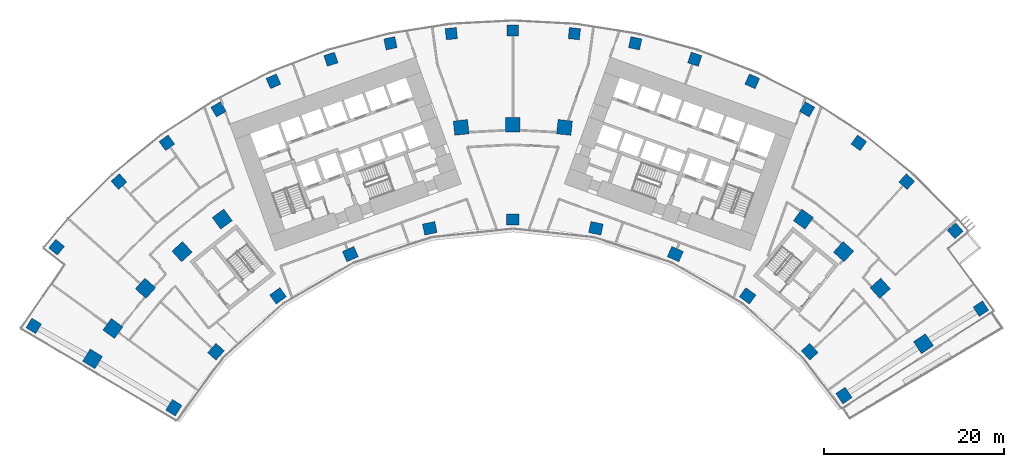
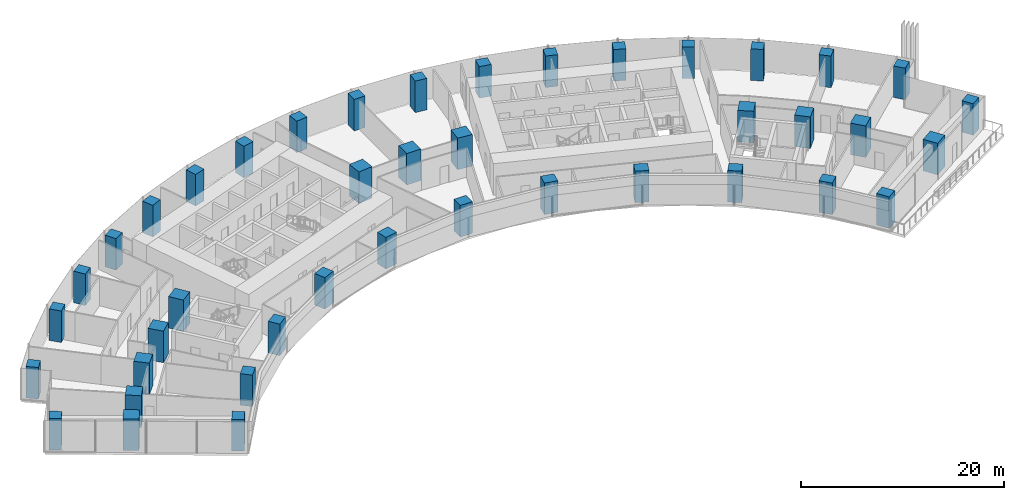
# One storey, part 1 of 21: 42 columns.
"""IFC4 building model written with IfcOpenShell, lengths in metres."""

from ifc_helpers import new_model, si_unit, direction, frame, origin, origin_2d, place, context, subcontext, project, spatial, rectangle, extrude, material, material_profile, profile_set, type_object, element, save


model = new_model("IFC4")

# Units and contexts
model_context = context("Model", 3, precision=1e-05, world=origin(), true_north=direction((0.0, 1.0)))
body_context = subcontext(model_context, "Body", "Model", "MODEL_VIEW")
ifc_project = project(units=[si_unit("LENGTHUNIT", "METRE"), si_unit("AREAUNIT", "SQUARE_METRE"), si_unit("VOLUMEUNIT", "CUBIC_METRE"), si_unit("PLANEANGLEUNIT", "RADIAN"), si_unit("MASSUNIT", "GRAM", prefix="KILO")], contexts=[model_context])

# Site, building, storey
site_placement = place(None, origin())
site = spatial("IfcSite", under=ifc_project, at=site_placement, CompositionType="ELEMENT")
building_placement = place(site_placement, origin())
building = spatial("IfcBuilding", under=site, at=building_placement, Name="Stone Belt Terrace Tower", CompositionType="ELEMENT")
storey_placement = place(building_placement, frame((0.0, 0.0, 45.199951171875)))
storey = spatial("IfcBuildingStorey", under=building, at=storey_placement, Name="L10", CompositionType="ELEMENT", Elevation=45.199951171875)

# Columns
ifc_material = material(Name="Concrete B80", Category="concrete")
ifc_material_profile_1 = material_profile(ifc_material, rectangle(XDim=1.25, YDim=1.25, at=origin_2d()), Name="RC 1250x1250")
ifc_profile_set_1 = profile_set([ifc_material_profile_1], Name="Concrete B80")
column_type_1 = type_object("IfcColumnType", Name="Column RC 1250x1250 B80", PredefinedType="COLUMN", material=ifc_profile_set_1)
for number, where, z_axis, x_axis, name in (
    (1, (-53.30078125, 32.6171875, 0.0), (0.0, 0.0, 1.0), (0.521967198123, 0.852965558556, 0.0), "Column L10 RA"),
    (2, (52.079833984375, 34.533203125, 0.0), (0.0, 0.0, 1.0), (0.552632476899, -0.833425068903, 0.0), "Column L10 RB"),
    (3, (-50.7646484375, 41.373046875, 0.0), (0.0, 0.0, 1.0), (0.631758757508, 0.775165061333, 0.0), "Column L10 RNA"),
    (4, (-43.820556640625, 48.667724609375, 0.0), (0.0, 0.0, 1.0), (0.743144825477, 0.669130606359, 0.0), "Column L10 R15"),
    (5, (-38.493408203125, 52.981689453125, 0.0), (0.0, 0.0, 1.0), (0.809016994375, 0.587785252292, 0.0), "Column L10 R16"),
    (6, (-32.744384765625, 56.715087890625, 0.0), (0.0, 0.0, 1.0), (0.866025403784, 0.5, 0.0), "Column L10 R17"),
    (7, (-26.63671875, 59.8271484375, 0.0), (0.0, 0.0, 1.0), (0.913545457643, 0.406736643076, 0.0), "Column L10 R18"),
    (8, (-20.2373046875, 62.28369140625, 0.0), (0.0, 0.0, 1.0), (0.951056516295, 0.309016994375, 0.0), "Column L10 R19"),
    (9, (-13.615966796875, 64.057861328125, 0.0), (0.0, 0.0, 1.0), (0.978147600734, 0.207911690818, 0.0), "Column L10 R20"),
    (10, (-6.845458984375, 65.130126953125, 0.0), (0.0, 0.0, 1.0), (0.994521895368, 0.104528463268, 0.0), "Column L10 R21"),
    (11, (0.0, 65.489013671875, 0.0), (0.0, 0.0, 1.0), (1.0, 0.0, 0.0), "Column L10 R22"),
    (12, (6.845458984375, 65.130126953125, 0.0), (0.0, 0.0, 1.0), (0.994521895368, -0.104528463268, 0.0), "Column L10 R23"),
    (13, (13.615966796875, 64.057861328125, 0.0), (0.0, 0.0, 1.0), (0.978147600734, -0.207911690818, 0.0), "Column L10 R24"),
    (14, (20.2373046875, 62.28369140625, 0.0), (0.0, 0.0, 1.0), (0.951056516295, -0.309016994375, 0.0), "Column L10 R25"),
    (15, (26.63671875, 59.8271484375, 0.0), (0.0, 0.0, 1.0), (0.913545457643, -0.406736643076, 0.0), "Column L10 R26"),
    (16, (32.744384765625, 56.715087890625, 0.0), (0.0, 0.0, 1.0), (0.866025403784, -0.5, 0.0), "Column L10 R27"),
    (17, (38.493408203125, 52.981689453125, 0.0), (0.0, 0.0, 1.0), (0.809016994375, -0.587785252292, 0.0), "Column L10 R28"),
    (18, (43.820556640625, 48.667724609375, 0.0), (0.0, 0.0, 1.0), (0.743144825477, -0.669130606359, 0.0), "Column L10 R29"),
    (19, (49.22705078125, 43.19140625, 0.0), (0.0, 0.0, 1.0), (0.659521632939, -0.751685582997, 0.0), "Column L10 RNB"),
):
    element("IfcColumn", number, at=place(storey_placement, frame(where, z_axis=z_axis, x_axis=x_axis)), inside=storey, type_object=column_type_1, Name=name, PredefinedType="COLUMN", context=body_context, shape_type="SweptSolid", body=[
        extrude(rectangle(XDim=1.25, YDim=1.25, at=origin_2d()), origin(), (0.0, 0.0, 1.0), 3.800048828125),
    ])
ifc_material_profile_2 = material_profile(ifc_material, rectangle(XDim=1.39990234375, YDim=1.25, at=origin_2d()), Name="RC 1400x1250")
ifc_profile_set_2 = profile_set([ifc_material_profile_2], Name="Concrete B80")
column_type_2 = type_object("IfcColumnType", Name="Column RC 1400x1250 B80", PredefinedType="COLUMN", material=ifc_profile_set_2)
for number, where, z_axis, x_axis, name in (
    (20, (-37.718017578125, 23.510009765625, 0.0), (0.0, 0.0, 1.0), (0.528967211548, 0.84864226215, 0.0), "Column L10 PA"),
    (21, (-33.029052734375, 29.739501953125, 0.0), (0.0, 0.0, 1.0), (0.669130606359, 0.743144825477, 0.0), "Column L10 P14"),
    (22, (-26.1240234375, 35.956787109375, 0.0), (0.0, 0.0, 1.0), (0.809016994375, 0.587785252292, 0.0), "Column L10 P16"),
    (23, (-18.077392578125, 40.6025390625, 0.0), (0.0, 0.0, 1.0), (0.913545457643, 0.406736643076, 0.0), "Column L10 P18"),
    (24, (-9.240478515625, 43.473876953125, 0.0), (0.0, 0.0, 1.0), (0.978147600734, 0.207911690818, 0.0), "Column L10 P20"),
    (25, (0.0, 44.445068359375, 0.0), (0.0, 0.0, 1.0), (1.0, 0.0, 0.0), "Column L10 P22"),
    (26, (9.240478515625, 43.473876953125, 0.0), (0.0, 0.0, 1.0), (0.978147600734, -0.207911690818, 0.0), "Column L10 P24"),
    (27, (18.077392578125, 40.6025390625, 0.0), (0.0, 0.0, 1.0), (0.913545457643, -0.406736643076, 0.0), "Column L10 P26"),
    (28, (26.1240234375, 35.956787109375, 0.0), (0.0, 0.0, 1.0), (0.809016994375, -0.587785252292, 0.0), "Column L10 P28"),
    (29, (33.029052734375, 29.739501953125, 0.0), (0.0, 0.0, 1.0), (0.669130606359, -0.743144825477, 0.0), "Column L10 P30"),
    (30, (36.83837890625, 24.865478515625, 0.0), (0.0, 0.0, 1.0), (0.559469238608, -0.828851115129, 0.0), "Column L10 PB"),
):
    element("IfcColumn", number, at=place(storey_placement, frame(where, z_axis=z_axis, x_axis=x_axis)), inside=storey, type_object=column_type_2, Name=name, PredefinedType="COLUMN", context=body_context, shape_type="SweptSolid", body=[
        extrude(rectangle(XDim=1.39990234375, YDim=1.25, at=origin_2d()), origin(), (0.0, 0.0, 1.0), 3.800048828125),
    ])
ifc_material_profile_3 = material_profile(ifc_material, rectangle(XDim=1.60009765625, YDim=1.60009765625, at=origin_2d()), Name="RC 1600x1600")
ifc_profile_set_3 = profile_set([ifc_material_profile_3], Name="Concrete B80")
column_type_3 = type_object("IfcColumnType", Name="Column RC 1600x1600 B80", PredefinedType="COLUMN", material=ifc_profile_set_3)
for number, where, z_axis, x_axis, name in (
    (31, (-46.763671875, 28.951171875, 0.0), (0.0, 0.0, 1.0), (0.526383105721, 0.850247508677, 0.0), "Column L10 QA"),
    (32, (-44.495849609375, 32.328125, 0.0), (0.0, 0.0, 1.0), (0.587785252292, 0.809016994375, 0.0), "Column L10 Q13"),
    (33, (-40.873046875, 36.80224609375, 0.0), (0.0, 0.0, 1.0), (0.669130606359, 0.743144825477, 0.0), "Column L10 Q14"),
    (34, (-36.80224609375, 40.873046875, 0.0), (0.0, 0.0, 1.0), (0.743144825477, 0.669130606359, 0.0), "Column L10 Q15"),
    (35, (-32.328125, 44.495849609375, 0.0), (0.0, 0.0, 1.0), (0.809016994375, 0.587785252292, 0.0), "Column L10 Q16"),
    (36, (-5.7490234375, 54.69873046875, 0.0), (0.0, 0.0, 1.0), (0.994521895368, 0.104528463268, 0.0), "Column L10 Q21"),
    (37, (0.0, 55.0, 0.0), (0.0, 0.0, 1.0), (1.0, 0.0, 0.0), "Column L10 Q22"),
    (38, (5.7490234375, 54.69873046875, 0.0), (0.0, 0.0, 1.0), (0.994521895368, -0.104528463268, 0.0), "Column L10 Q23"),
    (39, (32.328125, 44.495849609375, 0.0), (0.0, 0.0, 1.0), (0.809016994375, -0.587785252292, 0.0), "Column L10 Q28"),
    (40, (36.80224609375, 40.873046875, 0.0), (0.0, 0.0, 1.0), (0.743144825477, -0.669130606359, 0.0), "Column L10 Q29"),
    (41, (40.873046875, 36.80224609375, 0.0), (0.0, 0.0, 1.0), (0.669130606359, -0.743144825477, 0.0), "Column L10 Q30"),
    (42, (45.68017578125, 30.632080078125, 0.0), (0.0, 0.0, 1.0), (0.556946647954, -0.830548271525, 0.0), "Column L10 QB"),
):
    element("IfcColumn", number, at=place(storey_placement, frame(where, z_axis=z_axis, x_axis=x_axis)), inside=storey, type_object=column_type_3, Name=name, PredefinedType="COLUMN", context=body_context, shape_type="SweptSolid", body=[
        extrude(rectangle(XDim=1.60009765625, YDim=1.60009765625, at=origin_2d()), origin(), (0.0, 0.0, 1.0), 3.800048828125),
    ])

save(model, "model.ifc")
